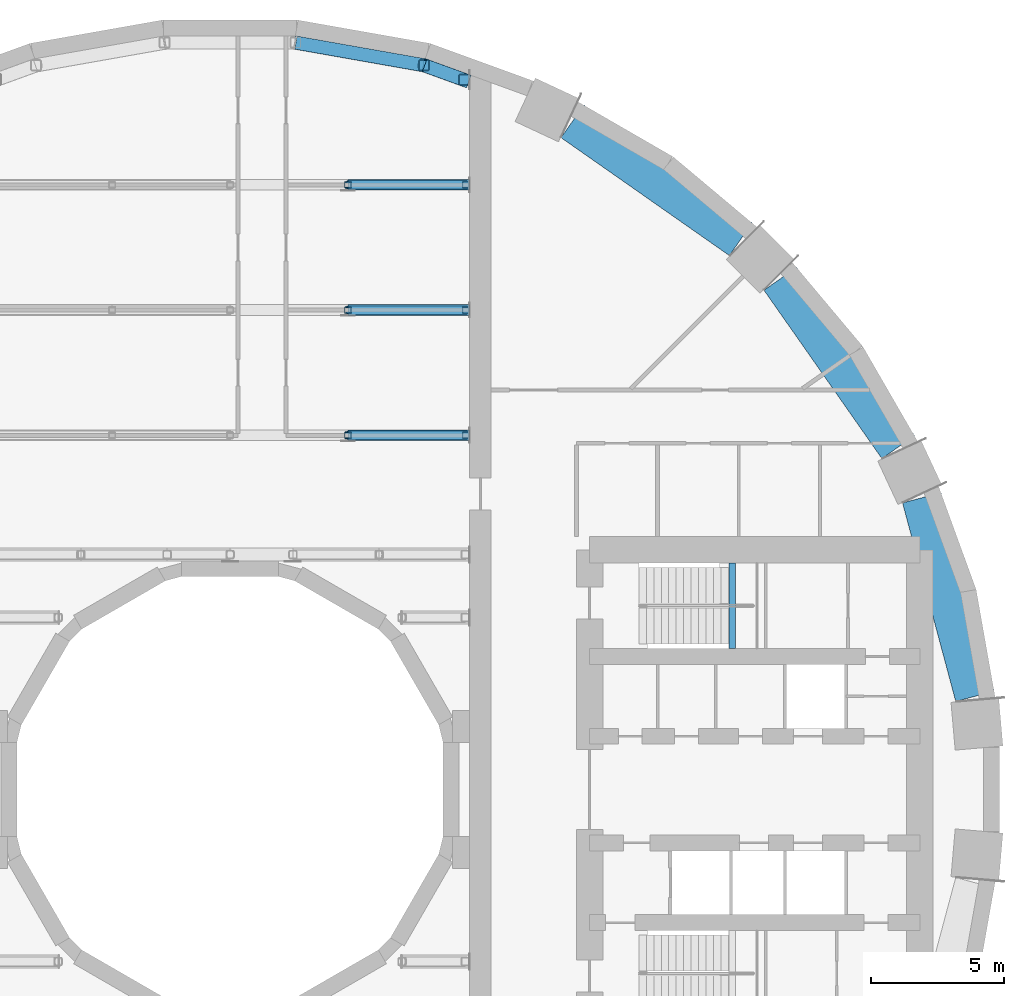
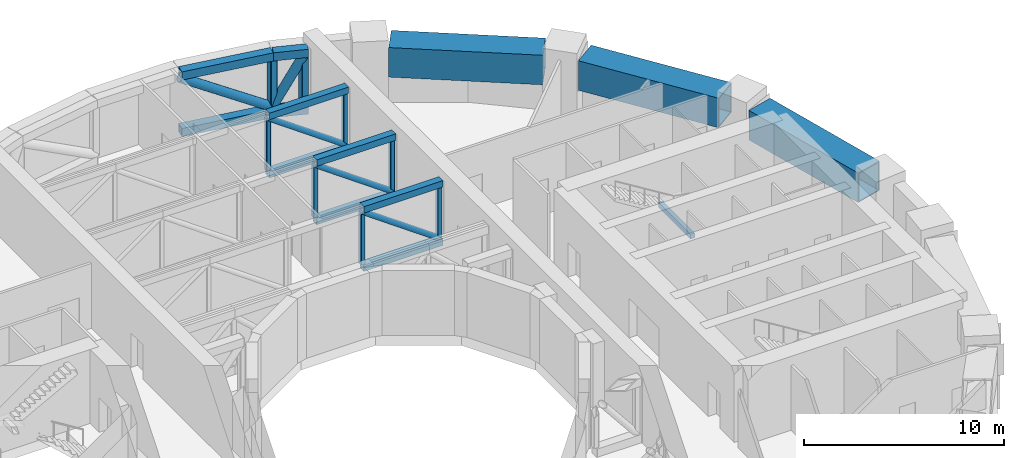
# One storey, part 7 of 21: 23 members, 4 beams.
"""IFC4 building model written with IfcOpenShell, lengths in metres."""

from ifc_helpers import new_model, si_unit, direction, frame, origin, origin_2d, place, context, subcontext, project, spatial, rectangle, hollow_rectangle, hollow_circle, extrude, material, material_profile, profile_set, type_object, element, save


model = new_model("IFC4")

# Units and contexts
model_context = context("Model", 3, precision=1e-05, world=origin(), true_north=direction((0.0, 1.0)))
body_context = subcontext(model_context, "Body", "Model", "MODEL_VIEW")
ifc_project = project(units=[si_unit("LENGTHUNIT", "METRE"), si_unit("AREAUNIT", "SQUARE_METRE"), si_unit("VOLUMEUNIT", "CUBIC_METRE"), si_unit("PLANEANGLEUNIT", "RADIAN"), si_unit("MASSUNIT", "GRAM", prefix="KILO")], contexts=[model_context])

# Site, building, storey
site_placement = place(None, origin())
site = spatial("IfcSite", under=ifc_project, at=site_placement, CompositionType="ELEMENT")
building_placement = place(site_placement, origin())
building = spatial("IfcBuilding", under=site, at=building_placement, Name="Saqina Gate Tower", CompositionType="ELEMENT")
storey_placement = place(building_placement, frame((0.0, 0.0, 21.800048828125)))
storey = spatial("IfcBuildingStorey", under=building, at=storey_placement, Name="L05", CompositionType="ELEMENT", Elevation=21.800048828125)

# Beams
ifc_material_1 = material(Name="Concrete C40/50", Category="concrete")
ifc_material_profile_1 = material_profile(ifc_material_1, rectangle(XDim=0.25, YDim=0.300048828125, at=origin_2d()), Name="STAIR LANDING BEAM")
ifc_profile_set_1 = profile_set([ifc_material_profile_1], Name="Concrete C40/50")
beam_type_1 = type_object("IfcBeamType", Name="STAIR LANDING BEAM", PredefinedType="BEAM", material=ifc_profile_set_1)
beam_placement = place(storey_placement, frame((18.860107421875, 5.300048828125, 1.849853515625), z_axis=(0.0, 1.0, 0.0), x_axis=(-1.0, 0.0, 0.0)))
element("IfcBeam", 1, at=beam_placement, inside=storey, type_object=beam_type_1, Name="EXIT STAIR 1 LANDING BEAM", PredefinedType="BEAM", context=body_context, shape_type="SweptSolid", body=[
    extrude(rectangle(XDim=0.25, YDim=0.300048828125, at=origin_2d()), origin(), (0.0, 0.0, 1.0), 3.199951171875),
])
ifc_material_2 = material(Name="Steel S460", Category="steel")
ifc_material_profile_2 = material_profile(ifc_material_2, hollow_rectangle(XDim=1.5, YDim=1.800048828125, WallThickness=0.06005859375, at=origin_2d()), Name="BOX 1500x1800x60")
ifc_profile_set_2 = profile_set([ifc_material_profile_2], Name="Steel S460")
beam_type_2 = type_object("IfcBeamType", Name="STR-PODIUM TRANSFER GIRDER-BOX 1500x1800x60", PredefinedType="BEAM", material=ifc_profile_set_2)
for number, where, z_axis, x_axis, name in (
    (2, (27.9697265625, 3.499267578125, 3.050048828125), (-0.258816195874, 0.965926589733, 0.0), (-0.965926589733, -0.258816195874, 0.0), "PODIUM TRANSFER GIRDER 01"),
    (3, (25.086181640625, 12.8544921875, 3.050048828125), (-0.573585469679, 0.81914571901, 0.0), (-0.81914571901, -0.573585469679, 0.0), "PODIUM TRANSFER GIRDER 02"),
    (4, (19.1767578125, 20.6591796875, 3.050048828125), (-0.81914571901, 0.573585469679, 0.0), (-0.573585469679, -0.81914571901, 0.0), "PODIUM TRANSFER GIRDER 03"),
):
    element("IfcBeam", number, at=place(storey_placement, frame(where, z_axis=z_axis, x_axis=x_axis)), inside=storey, type_object=beam_type_2, Name=name, PredefinedType="BEAM", context=body_context, shape_type="SweptSolid", body=[
        extrude(hollow_rectangle(XDim=1.5, YDim=1.800048828125, WallThickness=0.06005859375, at=origin_2d()), origin(), (0.0, 0.0, 1.0), 7.718017578125),
    ])

# Members
ifc_material_3 = material(Name="Steel S460", Category="steel")
ifc_material_profile_3 = material_profile(ifc_material_3, hollow_rectangle(XDim=0.39990234375, YDim=0.39990234375, WallThickness=0.030029296875, at=origin_2d()), Name="BOX 400x400x30")
ifc_profile_set_3 = profile_set([ifc_material_profile_3], Name="Steel S460")
member_type_1 = type_object("IfcMemberType", Name="STR-TRANSFER TRUSS CHORD-BOX 400x400x30", PredefinedType="CHORD", material=ifc_profile_set_3)
for number, where, z_axis, x_axis, name in (
    (5, (4.428466796875, 13.300048828125, 0.199951171875), (1.0, 0.0, 0.0), (0.0, 1.0, 0.0), "TRANSFER TRUSS CHORD 092"),
    (6, (4.428466796875, 13.300048828125, 3.75), (1.0, 0.0, 0.0), (0.0, 1.0, 0.0), "TRANSFER TRUSS CHORD 093"),
    (7, (4.428466796875, 18.0, 0.199951171875), (1.0, 0.0, 0.0), (0.0, 1.0, 0.0), "TRANSFER TRUSS CHORD 122"),
    (8, (4.428466796875, 18.0, 3.75), (1.0, 0.0, 0.0), (0.0, 1.0, 0.0), "TRANSFER TRUSS CHORD 123"),
    (9, (4.428466796875, 22.699951171875, 0.199951171875), (1.0, 0.0, 0.0), (0.0, 1.0, 0.0), "TRANSFER TRUSS CHORD 152"),
    (10, (4.428466796875, 22.699951171875, 3.75), (1.0, 0.0, 0.0), (0.0, 1.0, 0.0), "TRANSFER TRUSS CHORD 153"),
):
    element("IfcMember", number, at=place(storey_placement, frame(where, z_axis=z_axis, x_axis=x_axis)), inside=storey, type_object=member_type_1, Name=name, PredefinedType="CHORD", context=body_context, shape_type="SweptSolid", body=[
        extrude(hollow_rectangle(XDim=0.39990234375, YDim=0.39990234375, WallThickness=0.030029296875, at=origin_2d()), origin(), (0.0, 0.0, 1.0), 4.553466796875),
    ])
ifc_material_4 = material(Name="Steel S460", Category="steel")
ifc_material_profile_4 = material_profile(ifc_material_4, hollow_rectangle(XDim=0.5, YDim=0.5, WallThickness=0.06005859375, at=origin_2d()), Name="BOX 500x500x60")
ifc_profile_set_4 = profile_set([ifc_material_profile_4], Name="Steel S460")
member_type_2 = type_object("IfcMemberType", Name="STR-TRANSFER TRUSS CHORD-BOX 500x500x60", PredefinedType="CHORD", material=ifc_profile_set_4)
for number, where, z_axis, x_axis, name in (
    (11, (2.474853515625, 28.0390625, 0.25), (0.984807807789, -0.17364786701, 0.0), (0.17364786701, 0.984807807789, 0.0), "TRANSFER TRUSS CHORD 008"),
    (12, (2.474853515625, 28.0390625, 3.699951171875), (0.984807807789, -0.17364786701, 0.0), (0.17364786701, 0.984807807789, 0.0), "TRANSFER TRUSS CHORD 009"),
):
    element("IfcMember", number, at=place(storey_placement, frame(where, z_axis=z_axis, x_axis=x_axis)), inside=storey, type_object=member_type_2, Name=name, PredefinedType="CHORD", context=body_context, shape_type="SweptSolid", body=[
        extrude(hollow_rectangle(XDim=0.5, YDim=0.5, WallThickness=0.06005859375, at=origin_2d()), origin(), (0.0, 0.0, 1.0), 4.86328125),
    ])
for number, where, z_axis, x_axis, name in (
    (13, (7.306396484375, 27.183349609375, 0.25), (0.939696750513, -0.342008796782, 0.0), (0.342008796782, 0.939696750513, 0.0), "TRANSFER TRUSS CHORD 011"),
    (14, (7.306396484375, 27.183349609375, 3.699951171875), (0.939696750513, -0.342008796782, 0.0), (0.342008796782, 0.939696750513, 0.0), "TRANSFER TRUSS CHORD 012"),
):
    element("IfcMember", number, at=place(storey_placement, frame(where, z_axis=z_axis, x_axis=x_axis)), inside=storey, type_object=member_type_2, Name=name, PredefinedType="CHORD", context=body_context, shape_type="SweptSolid", body=[
        extrude(hollow_rectangle(XDim=0.5, YDim=0.5, WallThickness=0.06005859375, at=origin_2d()), origin(), (0.0, 0.0, 1.0), 1.770263671875),
    ])
ifc_material_5 = material(Name="Steel S460", Category="steel")
ifc_material_profile_5 = material_profile(ifc_material_5, hollow_circle(Radius=0.161865234375, WallThickness=0.012451171875, at=origin_2d()), Name="CHS 323.9x12.5")
ifc_profile_set_5 = profile_set([ifc_material_profile_5], Name="Steel S460")
member_type_3 = type_object("IfcMemberType", Name="STR-TRANSFER TRUSS DIAGONAL-CHS 323.9x12.5", PredefinedType="BRACE", material=ifc_profile_set_5)
for number, where, z_axis, x_axis, name in (
    (15, (4.418701171875, 13.300048828125, 3.556884765625), (0.814886313503, 0.0, -0.579620820939), (0.0, 1.0, 0.0), "TRANSFER TRUSS DIAGONAL 094"),
    (16, (4.418701171875, 18.0, 3.556884765625), (0.814886313503, 0.0, -0.579620820939), (0.0, 1.0, 0.0), "TRANSFER TRUSS DIAGONAL 124"),
    (17, (4.418701171875, 22.699951171875, 3.556884765625), (0.814886313503, 0.0, -0.579620820939), (0.0, 1.0, 0.0), "TRANSFER TRUSS DIAGONAL 154"),
):
    element("IfcMember", number, at=place(storey_placement, frame(where, z_axis=z_axis, x_axis=x_axis)), inside=storey, type_object=member_type_3, Name=name, PredefinedType="BRACE", context=body_context, shape_type="SweptSolid", body=[
        extrude(hollow_circle(Radius=0.161865234375, WallThickness=0.012451171875, at=origin_2d()), origin(), (0.0, 0.0, 1.0), 5.45849609375),
    ])
ifc_material_6 = material(Name="Steel S460", Category="steel")
ifc_material_profile_6 = material_profile(ifc_material_6, hollow_circle(Radius=0.25390625, WallThickness=0.02001953125, at=origin_2d()), Name="CHS 508x20")
ifc_profile_set_6 = profile_set([ifc_material_profile_6], Name="Steel S460")
member_type_4 = type_object("IfcMemberType", Name="STR-TRANSFER TRUSS DIAGONAL-CHS 508x20", PredefinedType="BRACE", material=ifc_profile_set_6)
member_1_placement = place(storey_placement, frame((2.443359375, 28.044677734375, 3.4560546875), z_axis=(0.844012922189, -0.148836048112, -0.515257234748), x_axis=(0.173663791707, 0.984804999708, 0.0)))
element("IfcMember", 18, at=member_1_placement, inside=storey, type_object=member_type_4, Name="TRANSFER TRUSS DIAGONAL 010", PredefinedType="BRACE", context=body_context, shape_type="SweptSolid", body=[
    extrude(hollow_circle(Radius=0.25390625, WallThickness=0.02001953125, at=origin_2d()), origin(), (0.0, 0.0, 1.0), 5.749267578125),
])
member_2_placement = place(storey_placement, frame((7.280517578125, 27.19287109375, 0.489501953125), z_axis=(0.446324920823, -0.162490618453, 0.879994809057), x_axis=(0.342097539389, 0.939664447313, 0.0)))
element("IfcMember", 19, at=member_2_placement, inside=storey, type_object=member_type_4, Name="TRANSFER TRUSS DIAGONAL 013", PredefinedType="BRACE", context=body_context, shape_type="SweptSolid", body=[
    extrude(hollow_circle(Radius=0.25390625, WallThickness=0.02001953125, at=origin_2d()), origin(), (0.0, 0.0, 1.0), 3.3759765625),
])
ifc_material_7 = material(Name="Steel S460", Category="steel")
ifc_material_profile_7 = material_profile(ifc_material_7, hollow_rectangle(XDim=0.25, YDim=0.25, WallThickness=0.012451171875, InnerFilletRadius=0.02490234375, OuterFilletRadius=0.03759765625, at=origin_2d()), Name="SHS 250x250x12.5")
ifc_profile_set_7 = profile_set([ifc_material_profile_7], Name="Steel S460")
member_type_5 = type_object("IfcMemberType", Name="STR-TRANSFER TRUSS POST-SHS 250x250x12.5", PredefinedType="POST", material=ifc_profile_set_7)
for number, where, z_axis, x_axis, name in (
    (20, (4.428466796875, 13.300048828125, 0.39990234375), (0.0, 0.0, 1.0), (1.0, 0.0, 0.0), "TRANSFER TRUSS POST 098"),
    (21, (8.85693359375, 13.300048828125, 0.39990234375), (0.0, 0.0, 1.0), (1.0, 0.0, 0.0), "TRANSFER TRUSS POST 099"),
    (22, (4.428466796875, 18.0, 0.39990234375), (0.0, 0.0, 1.0), (1.0, 0.0, 0.0), "TRANSFER TRUSS POST 128"),
    (23, (8.85693359375, 18.0, 0.39990234375), (0.0, 0.0, 1.0), (1.0, 0.0, 0.0), "TRANSFER TRUSS POST 129"),
    (24, (4.428466796875, 22.699951171875, 0.39990234375), (0.0, 0.0, 1.0), (1.0, 0.0, 0.0), "TRANSFER TRUSS POST 158"),
    (25, (8.85693359375, 22.699951171875, 0.39990234375), (0.0, 0.0, 1.0), (1.0, 0.0, 0.0), "TRANSFER TRUSS POST 159"),
):
    element("IfcMember", number, at=place(storey_placement, frame(where, z_axis=z_axis, x_axis=x_axis)), inside=storey, type_object=member_type_5, Name=name, PredefinedType="POST", context=body_context, shape_type="SweptSolid", body=[
        extrude(hollow_rectangle(XDim=0.25, YDim=0.25, WallThickness=0.012451171875, InnerFilletRadius=0.02490234375, OuterFilletRadius=0.03759765625, at=origin_2d()), origin(), (0.0, 0.0, 1.0), 3.150146484375),
    ])
ifc_material_8 = material(Name="Steel S460", Category="steel")
ifc_material_profile_8 = material_profile(ifc_material_8, hollow_rectangle(XDim=0.39990234375, YDim=0.39990234375, WallThickness=0.02001953125, InnerFilletRadius=0.0400390625, OuterFilletRadius=0.06005859375, at=origin_2d()), Name="SHS 400x400x20")
ifc_profile_set_8 = profile_set([ifc_material_profile_8], Name="Steel S460")
member_type_6 = type_object("IfcMemberType", Name="STR-TRANSFER TRUSS POST-SHS 400x400x20", PredefinedType="POST", material=ifc_profile_set_8)
for number, where, z_axis, x_axis, name in (
    (26, (7.28564453125, 27.19091796875, 0.5), (0.0, 0.0, 1.0), (1.0, 0.0, 0.0), "TRANSFER TRUSS POST 018"),
    (27, (8.781982421875, 26.646240234375, 0.5), (0.0, 0.0, 1.0), (1.0, 0.0, 0.0), "TRANSFER TRUSS POST 019"),
):
    element("IfcMember", number, at=place(storey_placement, frame(where, z_axis=z_axis, x_axis=x_axis)), inside=storey, type_object=member_type_6, Name=name, PredefinedType="POST", context=body_context, shape_type="SweptSolid", body=[
        extrude(hollow_rectangle(XDim=0.39990234375, YDim=0.39990234375, WallThickness=0.02001953125, InnerFilletRadius=0.0400390625, OuterFilletRadius=0.06005859375, at=origin_2d()), origin(), (0.0, 0.0, 1.0), 2.949951171875),
    ])

save(model, "model.ifc")
